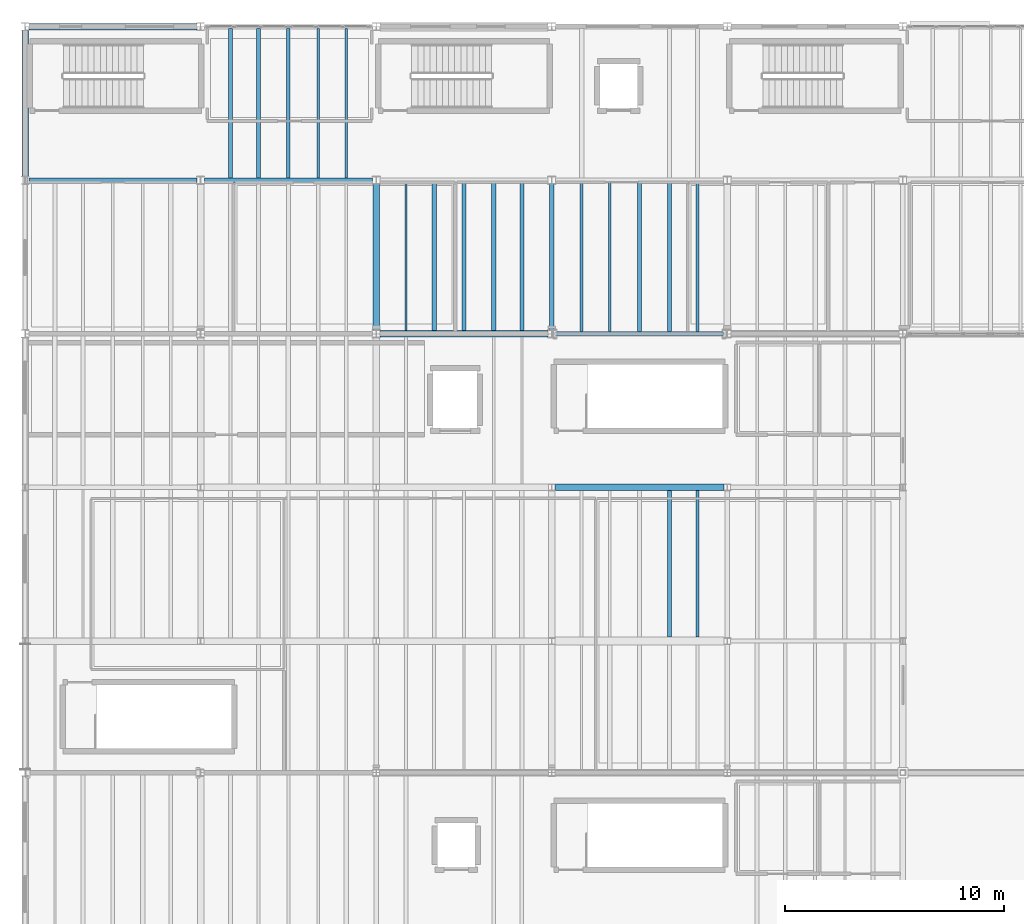
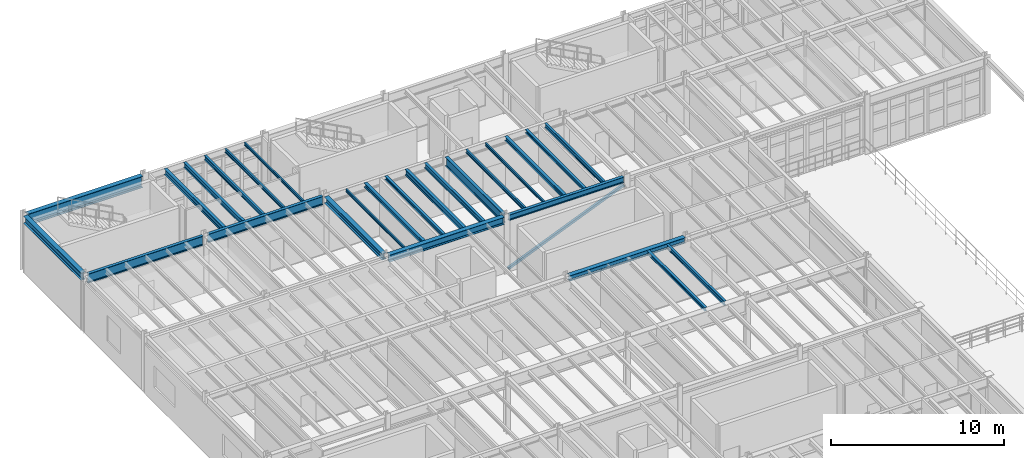
# One storey, part 19 of 78: 26 beams, 1 member.
"""IFC4 building model written with IfcOpenShell, lengths in metres."""

from ifc_helpers import new_model, si_unit, direction, frame, origin, origin_2d, place, context, subcontext, project, spatial, hollow_rectangle, i_section, extrude, material, material_profile, profile_set, type_object, element, save


model = new_model("IFC4")

# Units and contexts
model_context = context("Model", 3, precision=1e-05, world=origin(), true_north=direction((0.0, 1.0)))
body_context = subcontext(model_context, "Body", "Model", "MODEL_VIEW")
ifc_project = project(units=[si_unit("LENGTHUNIT", "METRE"), si_unit("AREAUNIT", "SQUARE_METRE"), si_unit("VOLUMEUNIT", "CUBIC_METRE"), si_unit("PLANEANGLEUNIT", "RADIAN"), si_unit("MASSUNIT", "GRAM", prefix="KILO"), si_unit("THERMODYNAMICTEMPERATUREUNIT", "KELVIN"), si_unit("POWERUNIT", "WATT")], contexts=[model_context])

# Site, building, storey
site_placement = place(None, origin())
site = spatial("IfcSite", under=ifc_project, at=site_placement, CompositionType="ELEMENT")
building_placement = place(site_placement, origin())
building = spatial("IfcBuilding", under=site, at=building_placement, Name="Zhenchuan Central Fire Station", CompositionType="ELEMENT")
storey_placement = place(building_placement, frame((0.0, 0.0, 5.85009765625)))
storey = spatial("IfcBuildingStorey", under=building, at=storey_placement, Name="L02", CompositionType="ELEMENT", Elevation=5.85009765625)

# Beams
ifc_material = material(Name="Steel Q355B", Category="steel")
ifc_material_profile_1 = material_profile(ifc_material, i_section(OverallWidth=0.300048828125, OverallDepth=0.389892578125, WebThickness=0.010009765625, FlangeThickness=0.01611328125, FilletRadius=0.02001953125, at=origin_2d()), Name="HM 390x300")
ifc_profile_set_1 = profile_set([ifc_material_profile_1], Name="Steel Q355B")
beam_type_1 = type_object("IfcBeamType", Name="BM-HM390-INT", PredefinedType="BEAM", material=ifc_profile_set_1)
beam_1_placement = place(storey_placement, frame((24.14990234375, 35.5, 3.804931640625), z_axis=(1.0, 0.0, 0.0), x_axis=(0.0, 1.0, 0.0)))
element("IfcBeam", 1, at=beam_1_placement, inside=storey, type_object=beam_type_1, Name="L03 Girder EW 0232", PredefinedType="BEAM", context=body_context, shape_type="SweptSolid", body=[
    extrude(i_section(OverallWidth=0.300048828125, OverallDepth=0.389892578125, WebThickness=0.010009765625, FlangeThickness=0.01611328125, FilletRadius=0.02001953125, at=origin_2d()), origin(), (0.0, 0.0, 1.0), 7.7001953125),
])
ifc_material_profile_2 = material_profile(ifc_material, i_section(OverallWidth=0.300048828125, OverallDepth=0.43994140625, WebThickness=0.010986328125, FlangeThickness=0.01806640625, FilletRadius=0.02197265625, at=origin_2d()), Name="HM 440x300")
ifc_profile_set_2 = profile_set([ifc_material_profile_2], Name="Steel Q355B")
beam_type_2 = type_object("IfcBeamType", Name="BM-HM440-INT", PredefinedType="BEAM", material=ifc_profile_set_2)
beam_2_placement = place(storey_placement, frame((16.0, 42.675048828125, 3.77978515625), z_axis=(0.0, 1.0, 0.0), x_axis=(-1.0, 0.0, 0.0)))
element("IfcBeam", 2, at=beam_2_placement, inside=storey, type_object=beam_type_2, Name="L03 Girder NS 0293", PredefinedType="BEAM", context=body_context, shape_type="SweptSolid", body=[
    extrude(i_section(OverallWidth=0.300048828125, OverallDepth=0.43994140625, WebThickness=0.010986328125, FlangeThickness=0.01806640625, FilletRadius=0.02197265625, at=origin_2d()), origin(), (0.0, 0.0, 1.0), 6.64990234375),
])
ifc_material_profile_3 = material_profile(ifc_material, i_section(OverallWidth=0.300048828125, OverallDepth=0.5, WebThickness=0.010986328125, FlangeThickness=0.01806640625, FilletRadius=0.02197265625, at=origin_2d()), Name="HM 500x300")
ifc_profile_set_3 = profile_set([ifc_material_profile_3], Name="Steel Q355B")
beam_type_3 = type_object("IfcBeamType", Name="BM-HM500", PredefinedType="BEAM", material=ifc_profile_set_3)
beam_3_placement = place(storey_placement, frame((0.0, 49.675048828125, 3.75), z_axis=(0.0, 1.0, 0.0), x_axis=(-1.0, 0.0, 0.0)))
element("IfcBeam", 3, at=beam_3_placement, inside=storey, type_object=beam_type_3, Name="L03 Girder NS 0281", PredefinedType="BEAM", context=body_context, shape_type="SweptSolid", body=[
    extrude(i_section(OverallWidth=0.300048828125, OverallDepth=0.5, WebThickness=0.010986328125, FlangeThickness=0.01806640625, FilletRadius=0.02197265625, at=origin_2d()), origin(), (0.0, 0.0, 1.0), 6.64990234375),
])
ifc_material_profile_4 = material_profile(ifc_material, i_section(OverallWidth=0.300048828125, OverallDepth=0.5, WebThickness=0.010986328125, FlangeThickness=0.01806640625, FilletRadius=0.02197265625, at=origin_2d()), Name="HM 500x300")
ifc_profile_set_4 = profile_set([ifc_material_profile_4], Name="Steel Q355B")
beam_type_4 = type_object("IfcBeamType", Name="BM-HM500-INT", PredefinedType="BEAM", material=ifc_profile_set_4)
beam_4_placement = place(storey_placement, frame((16.175048828125, 42.5, 3.75), z_axis=(1.0, 0.0, 0.0), x_axis=(0.0, 1.0, 0.0)))
element("IfcBeam", 4, at=beam_4_placement, inside=storey, type_object=beam_type_4, Name="L03 Girder EW 0244", PredefinedType="BEAM", context=body_context, shape_type="SweptSolid", body=[
    extrude(i_section(OverallWidth=0.300048828125, OverallDepth=0.5, WebThickness=0.010986328125, FlangeThickness=0.01806640625, FilletRadius=0.02197265625, at=origin_2d()), origin(), (0.0, 0.0, 1.0), 7.64990234375),
])
ifc_material_profile_5 = material_profile(ifc_material, i_section(OverallWidth=0.199951171875, OverallDepth=0.60009765625, WebThickness=0.010986328125, FlangeThickness=0.01708984375, FilletRadius=0.02197265625, at=origin_2d()), Name="HN 600x200")
ifc_profile_set_5 = profile_set([ifc_material_profile_5], Name="Steel Q355B")
beam_type_5 = type_object("IfcBeamType", Name="BM-HN600-INT", PredefinedType="BEAM", material=ifc_profile_set_5)
beam_5_placement = place(storey_placement, frame((8.175048828125, 49.5, 3.699951171875), z_axis=(1.0, 0.0, 0.0), x_axis=(0.0, 1.0, 0.0)))
element("IfcBeam", 5, at=beam_5_placement, inside=storey, type_object=beam_type_5, Name="L03 Girder EW 0254", PredefinedType="BEAM", context=body_context, shape_type="SweptSolid", body=[
    extrude(i_section(OverallWidth=0.199951171875, OverallDepth=0.60009765625, WebThickness=0.010986328125, FlangeThickness=0.01708984375, FilletRadius=0.02197265625, at=origin_2d()), origin(), (0.0, 0.0, 1.0), 7.64990234375),
])
ifc_material_profile_6 = material_profile(ifc_material, i_section(OverallWidth=0.199951171875, OverallDepth=0.64990234375, WebThickness=0.011962890625, FlangeThickness=0.02001953125, FilletRadius=0.02197265625, at=origin_2d()), Name="HN 650x200")
ifc_profile_set_6 = profile_set([ifc_material_profile_6], Name="Steel Q355B")
beam_type_6 = type_object("IfcBeamType", Name="BM-HN650", PredefinedType="BEAM", material=ifc_profile_set_6)
beam_6_placement = place(storey_placement, frame((0.175048828125, 49.5, 3.6748046875), z_axis=(1.0, 0.0, 0.0), x_axis=(0.0, 1.0, 0.0)))
element("IfcBeam", 6, at=beam_6_placement, inside=storey, type_object=beam_type_6, Name="L03 Girder EW 0253", PredefinedType="BEAM", context=body_context, shape_type="SweptSolid", body=[
    extrude(i_section(OverallWidth=0.199951171875, OverallDepth=0.64990234375, WebThickness=0.011962890625, FlangeThickness=0.02001953125, FilletRadius=0.02197265625, at=origin_2d()), origin(), (0.0, 0.0, 1.0), 7.64990234375),
])
beam_7_placement = place(storey_placement, frame((24.0, 42.675048828125, 3.6748046875), z_axis=(0.0, 1.0, 0.0), x_axis=(-1.0, 0.0, 0.0)))
element("IfcBeam", 7, at=beam_7_placement, inside=storey, type_object=beam_type_6, Name="L03 Girder NS 0298", PredefinedType="BEAM", context=body_context, shape_type="SweptSolid", body=[
    extrude(i_section(OverallWidth=0.199951171875, OverallDepth=0.64990234375, WebThickness=0.011962890625, FlangeThickness=0.02001953125, FilletRadius=0.02197265625, at=origin_2d()), origin(), (0.0, 0.0, 1.0), 6.64990234375),
])
ifc_material_profile_7 = material_profile(ifc_material, i_section(OverallWidth=0.300048828125, OverallDepth=0.800048828125, WebThickness=0.013916015625, FlangeThickness=0.02587890625, FilletRadius=0.02587890625, at=origin_2d()), Name="HN 800x300")
ifc_profile_set_7 = profile_set([ifc_material_profile_7], Name="Steel Q355B")
beam_type_7 = type_object("IfcBeamType", Name="BM-HN800-EXT", PredefinedType="BEAM", material=ifc_profile_set_7)
beam_8_placement = place(storey_placement, frame((0.175048828125, 56.5, 3.599853515625), z_axis=(1.0, 0.0, 0.0), x_axis=(0.0, 1.0, 0.0)))
element("IfcBeam", 8, at=beam_8_placement, inside=storey, type_object=beam_type_7, Name="L03 Girder EW 0264", PredefinedType="BEAM", context=body_context, shape_type="SweptSolid", body=[
    extrude(i_section(OverallWidth=0.300048828125, OverallDepth=0.800048828125, WebThickness=0.013916015625, FlangeThickness=0.02587890625, FilletRadius=0.02587890625, at=origin_2d()), origin(), (0.0, 0.0, 1.0), 7.64990234375),
])
ifc_material_profile_8 = material_profile(ifc_material, i_section(OverallWidth=0.175048828125, OverallDepth=0.243896484375, WebThickness=0.007080078125, FlangeThickness=0.010986328125, FilletRadius=0.012939453125, at=origin_2d()), Name="HM 244x175")
ifc_profile_set_8 = profile_set([ifc_material_profile_8], Name="Steel Q355B")
beam_type_8 = type_object("IfcBeamType", Name="JS-HM244", PredefinedType="JOIST", material=ifc_profile_set_8)
beam_9_placement = place(storey_placement, frame((29.360107421875, 28.68701171875, 3.8779296875), z_axis=(0.0, 1.0, 0.0), x_axis=(-1.0, 0.0, 0.0)))
element("IfcBeam", 9, at=beam_9_placement, inside=storey, type_object=beam_type_8, Name="L03 Secondary Joist 0435", PredefinedType="JOIST", context=body_context, shape_type="SweptSolid", body=[
    extrude(i_section(OverallWidth=0.175048828125, OverallDepth=0.243896484375, WebThickness=0.007080078125, FlangeThickness=0.010986328125, FilletRadius=0.012939453125, at=origin_2d()), origin(), (0.0, 0.0, 1.0), 6.666015625),
])
beam_10_placement = place(storey_placement, frame((20.0, 42.64697265625, 3.8779296875), z_axis=(0.0, 1.0, 0.0), x_axis=(-1.0, 0.0, 0.0)))
element("IfcBeam", 10, at=beam_10_placement, inside=storey, type_object=beam_type_8, Name="L03 Secondary Joist 0504", PredefinedType="JOIST", context=body_context, shape_type="SweptSolid", body=[
    extrude(i_section(OverallWidth=0.175048828125, OverallDepth=0.243896484375, WebThickness=0.007080078125, FlangeThickness=0.010986328125, FilletRadius=0.012939453125, at=origin_2d()), origin(), (0.0, 0.0, 1.0), 6.756103515625),
])
beam_11_placement = place(storey_placement, frame((29.360107421875, 42.596923828125, 3.8779296875), z_axis=(0.0, 1.0, 0.0), x_axis=(-1.0, 0.0, 0.0)))
element("IfcBeam", 11, at=beam_11_placement, inside=storey, type_object=beam_type_8, Name="L03 Secondary Joist 0510", PredefinedType="JOIST", context=body_context, shape_type="SweptSolid", body=[
    extrude(i_section(OverallWidth=0.175048828125, OverallDepth=0.243896484375, WebThickness=0.007080078125, FlangeThickness=0.010986328125, FilletRadius=0.012939453125, at=origin_2d()), origin(), (0.0, 0.0, 1.0), 6.80615234375),
])
ifc_material_profile_9 = material_profile(ifc_material, i_section(OverallWidth=0.199951171875, OverallDepth=0.2939453125, WebThickness=0.008056640625, FlangeThickness=0.011962890625, FilletRadius=0.01611328125, at=origin_2d()), Name="HM 294x200")
ifc_profile_set_9 = profile_set([ifc_material_profile_9], Name="Steel Q355B")
beam_type_9 = type_object("IfcBeamType", Name="JS-HM294", PredefinedType="JOIST", material=ifc_profile_set_9)
beam_12_placement = place(storey_placement, frame((18.639892578125, 42.64697265625, 3.852783203125), z_axis=(0.0, 1.0, 0.0), x_axis=(-1.0, 0.0, 0.0)))
element("IfcBeam", 12, at=beam_12_placement, inside=storey, type_object=beam_type_9, Name="L03 Secondary Joist 0503", PredefinedType="JOIST", context=body_context, shape_type="SweptSolid", body=[
    extrude(i_section(OverallWidth=0.199951171875, OverallDepth=0.2939453125, WebThickness=0.008056640625, FlangeThickness=0.011962890625, FilletRadius=0.01611328125, at=origin_2d()), origin(), (0.0, 0.0, 1.0), 6.756103515625),
])
beam_13_placement = place(storey_placement, frame((28.0, 42.596923828125, 3.852783203125), z_axis=(0.0, 1.0, 0.0), x_axis=(-1.0, 0.0, 0.0)))
element("IfcBeam", 13, at=beam_13_placement, inside=storey, type_object=beam_type_9, Name="L03 Secondary Joist 0509", PredefinedType="JOIST", context=body_context, shape_type="SweptSolid", body=[
    extrude(i_section(OverallWidth=0.199951171875, OverallDepth=0.2939453125, WebThickness=0.008056640625, FlangeThickness=0.011962890625, FilletRadius=0.01611328125, at=origin_2d()), origin(), (0.0, 0.0, 1.0), 6.80615234375),
])
ifc_material_profile_10 = material_profile(ifc_material, i_section(OverallWidth=0.10009765625, OverallDepth=0.199951171875, WebThickness=0.005615234375, FlangeThickness=0.008056640625, FilletRadius=0.010986328125, at=origin_2d()), Name="HN 200x100")
ifc_profile_set_10 = profile_set([ifc_material_profile_10], Name="Steel Q355B")
beam_type_10 = type_object("IfcBeamType", Name="JS-HN200", PredefinedType="JOIST", material=ifc_profile_set_10)
beam_14_placement = place(storey_placement, frame((17.360107421875, 42.64697265625, 3.89990234375), z_axis=(0.0, 1.0, 0.0), x_axis=(-1.0, 0.0, 0.0)))
element("IfcBeam", 14, at=beam_14_placement, inside=storey, type_object=beam_type_10, Name="L03 Secondary Joist 0502", PredefinedType="JOIST", context=body_context, shape_type="SweptSolid", body=[
    extrude(i_section(OverallWidth=0.10009765625, OverallDepth=0.199951171875, WebThickness=0.005615234375, FlangeThickness=0.008056640625, FilletRadius=0.010986328125, at=origin_2d()), origin(), (0.0, 0.0, 1.0), 6.756103515625),
])
for number, where, z_axis, x_axis, name in (
    (15, (26.639892578125, 42.596923828125, 3.89990234375), (0.0, 1.0, 0.0), (-1.0, 0.0, 0.0), "L03 Secondary Joist 0508"),
    (16, (14.639892578125, 49.596923828125, 3.89990234375), (0.0, 1.0, 0.0), (-1.0, 0.0, 0.0), "L03 Secondary Joist 0551"),
):
    element("IfcBeam", number, at=place(storey_placement, frame(where, z_axis=z_axis, x_axis=x_axis)), inside=storey, type_object=beam_type_10, Name=name, PredefinedType="JOIST", context=body_context, shape_type="SweptSolid", body=[
        extrude(i_section(OverallWidth=0.10009765625, OverallDepth=0.199951171875, WebThickness=0.005615234375, FlangeThickness=0.008056640625, FilletRadius=0.010986328125, at=origin_2d()), origin(), (0.0, 0.0, 1.0), 6.80615234375),
    ])
ifc_material_profile_11 = material_profile(ifc_material, i_section(OverallWidth=0.125, OverallDepth=0.25, WebThickness=0.006103515625, FlangeThickness=0.009033203125, FilletRadius=0.011962890625, at=origin_2d()), Name="HN 250x125")
ifc_profile_set_11 = profile_set([ifc_material_profile_11], Name="Steel Q355B")
beam_type_11 = type_object("IfcBeamType", Name="JS-HN250", PredefinedType="JOIST", material=ifc_profile_set_11)
for number, where, z_axis, x_axis, name in (
    (17, (25.360107421875, 42.596923828125, 3.875), (0.0, 1.0, 0.0), (-1.0, 0.0, 0.0), "L03 Secondary Joist 0507"),
    (18, (13.360107421875, 49.596923828125, 3.875), (0.0, 1.0, 0.0), (-1.0, 0.0, 0.0), "L03 Secondary Joist 0550"),
):
    element("IfcBeam", number, at=place(storey_placement, frame(where, z_axis=z_axis, x_axis=x_axis)), inside=storey, type_object=beam_type_11, Name=name, PredefinedType="JOIST", context=body_context, shape_type="SweptSolid", body=[
        extrude(i_section(OverallWidth=0.125, OverallDepth=0.25, WebThickness=0.006103515625, FlangeThickness=0.009033203125, FilletRadius=0.011962890625, at=origin_2d()), origin(), (0.0, 0.0, 1.0), 6.80615234375),
    ])
ifc_material_profile_12 = material_profile(ifc_material, i_section(OverallWidth=0.14990234375, OverallDepth=0.300048828125, WebThickness=0.006591796875, FlangeThickness=0.009033203125, FilletRadius=0.012939453125, at=origin_2d()), Name="HN 300x150")
ifc_profile_set_12 = profile_set([ifc_material_profile_12], Name="Steel Q355B")
beam_type_12 = type_object("IfcBeamType", Name="JS-HN300", PredefinedType="JOIST", material=ifc_profile_set_12)
beam_15_placement = place(storey_placement, frame((30.639892578125, 28.68701171875, 3.849853515625), z_axis=(0.0, 1.0, 0.0), x_axis=(-1.0, 0.0, 0.0)))
element("IfcBeam", 19, at=beam_15_placement, inside=storey, type_object=beam_type_12, Name="L03 Secondary Joist 0436", PredefinedType="JOIST", context=body_context, shape_type="SweptSolid", body=[
    extrude(i_section(OverallWidth=0.14990234375, OverallDepth=0.300048828125, WebThickness=0.006591796875, FlangeThickness=0.009033203125, FilletRadius=0.012939453125, at=origin_2d()), origin(), (0.0, 0.0, 1.0), 6.666015625),
])
for number, where, z_axis, x_axis, name in (
    (20, (30.639892578125, 42.596923828125, 3.849853515625), (0.0, 1.0, 0.0), (-1.0, 0.0, 0.0), "L03 Secondary Joist 0511"),
    (21, (12.0, 49.596923828125, 3.849853515625), (0.0, 1.0, 0.0), (-1.0, 0.0, 0.0), "L03 Secondary Joist 0549"),
):
    element("IfcBeam", number, at=place(storey_placement, frame(where, z_axis=z_axis, x_axis=x_axis)), inside=storey, type_object=beam_type_12, Name=name, PredefinedType="JOIST", context=body_context, shape_type="SweptSolid", body=[
        extrude(i_section(OverallWidth=0.14990234375, OverallDepth=0.300048828125, WebThickness=0.006591796875, FlangeThickness=0.009033203125, FilletRadius=0.012939453125, at=origin_2d()), origin(), (0.0, 0.0, 1.0), 6.80615234375),
    ])
ifc_material_profile_13 = material_profile(ifc_material, i_section(OverallWidth=0.175048828125, OverallDepth=0.35009765625, WebThickness=0.007080078125, FlangeThickness=0.010986328125, FilletRadius=0.013916015625, at=origin_2d()), Name="HN 350x175")
ifc_profile_set_13 = profile_set([ifc_material_profile_13], Name="Steel Q355B")
beam_type_13 = type_object("IfcBeamType", Name="JS-HN350", PredefinedType="JOIST", material=ifc_profile_set_13)
beam_16_placement = place(storey_placement, frame((22.639892578125, 42.64697265625, 3.824951171875), z_axis=(0.0, 1.0, 0.0), x_axis=(-1.0, 0.0, 0.0)))
element("IfcBeam", 22, at=beam_16_placement, inside=storey, type_object=beam_type_13, Name="L03 Secondary Joist 0506", PredefinedType="JOIST", context=body_context, shape_type="SweptSolid", body=[
    extrude(i_section(OverallWidth=0.175048828125, OverallDepth=0.35009765625, WebThickness=0.007080078125, FlangeThickness=0.010986328125, FilletRadius=0.013916015625, at=origin_2d()), origin(), (0.0, 0.0, 1.0), 6.756103515625),
])
beam_17_placement = place(storey_placement, frame((10.639892578125, 49.596923828125, 3.824951171875), z_axis=(0.0, 1.0, 0.0), x_axis=(-1.0, 0.0, 0.0)))
element("IfcBeam", 23, at=beam_17_placement, inside=storey, type_object=beam_type_13, Name="L03 Secondary Joist 0548", PredefinedType="JOIST", context=body_context, shape_type="SweptSolid", body=[
    extrude(i_section(OverallWidth=0.175048828125, OverallDepth=0.35009765625, WebThickness=0.007080078125, FlangeThickness=0.010986328125, FilletRadius=0.013916015625, at=origin_2d()), origin(), (0.0, 0.0, 1.0), 6.80615234375),
])
ifc_material_profile_14 = material_profile(ifc_material, i_section(OverallWidth=0.199951171875, OverallDepth=0.39990234375, WebThickness=0.008056640625, FlangeThickness=0.012939453125, FilletRadius=0.01611328125, at=origin_2d()), Name="HN 400x200")
ifc_profile_set_14 = profile_set([ifc_material_profile_14], Name="Steel Q355B")
beam_type_14 = type_object("IfcBeamType", Name="JS-HN400", PredefinedType="JOIST", material=ifc_profile_set_14)
beam_18_placement = place(storey_placement, frame((21.360107421875, 42.64697265625, 3.7998046875), z_axis=(0.0, 1.0, 0.0), x_axis=(-1.0, 0.0, 0.0)))
element("IfcBeam", 24, at=beam_18_placement, inside=storey, type_object=beam_type_14, Name="L03 Secondary Joist 0505", PredefinedType="JOIST", context=body_context, shape_type="SweptSolid", body=[
    extrude(i_section(OverallWidth=0.199951171875, OverallDepth=0.39990234375, WebThickness=0.008056640625, FlangeThickness=0.012939453125, FilletRadius=0.01611328125, at=origin_2d()), origin(), (0.0, 0.0, 1.0), 6.756103515625),
])
beam_19_placement = place(storey_placement, frame((9.360107421875, 49.596923828125, 3.7998046875), z_axis=(0.0, 1.0, 0.0), x_axis=(-1.0, 0.0, 0.0)))
element("IfcBeam", 25, at=beam_19_placement, inside=storey, type_object=beam_type_14, Name="L03 Secondary Joist 0547", PredefinedType="JOIST", context=body_context, shape_type="SweptSolid", body=[
    extrude(i_section(OverallWidth=0.199951171875, OverallDepth=0.39990234375, WebThickness=0.008056640625, FlangeThickness=0.012939453125, FilletRadius=0.01611328125, at=origin_2d()), origin(), (0.0, 0.0, 1.0), 6.80615234375),
])

# Member
ifc_material_profile_15 = material_profile(ifc_material, hollow_rectangle(XDim=0.159912109375, YDim=0.159912109375, WallThickness=0.008056640625, at=origin_2d()), Name="SHS 160x160x8")
ifc_profile_set_15 = profile_set([ifc_material_profile_15], Name="Steel Q355B")
member_type = type_object("IfcMemberType", Name="MB-BR-SHS160", PredefinedType="BRACE", material=ifc_profile_set_15)
member_placement = place(storey_placement, frame((24.153076171875, 42.5, 0.199951171875), z_axis=(0.923324644849, 0.0, 0.384020312243), x_axis=(0.0, 1.0, 0.0)))
element("IfcMember", 26, at=member_placement, inside=storey, type_object=member_type, Name="Interior Frame Lateral Brace 05", PredefinedType="BRACE", context=body_context, shape_type="SweptSolid", body=[
    extrude(hollow_rectangle(XDim=0.159912109375, YDim=0.159912109375, WallThickness=0.008056640625, at=origin_2d()), origin(), (0.0, 0.0, 1.0), 8.332763671875),
])

# Beam
ifc_material_profile_16 = material_profile(ifc_material, i_section(OverallWidth=0.199951171875, OverallDepth=0.39990234375, WebThickness=0.008056640625, FlangeThickness=0.012939453125, FilletRadius=0.01611328125, at=origin_2d()), Name="HN 400x200")
ifc_profile_set_16 = profile_set([ifc_material_profile_16], Name="Steel Q355B")
beam_type_15 = type_object("IfcBeamType", Name="SP-HN400-INT", PredefinedType="SPANDREL", material=ifc_profile_set_16)
beam_20_placement = place(storey_placement, frame((24.175048828125, 42.5, 3.7998046875), z_axis=(1.0, 0.0, 0.0), x_axis=(0.0, 1.0, 0.0)))
element("IfcBeam", 27, at=beam_20_placement, inside=storey, type_object=beam_type_15, Name="L03 Girder EW 0245", PredefinedType="SPANDREL", context=body_context, shape_type="SweptSolid", body=[
    extrude(i_section(OverallWidth=0.199951171875, OverallDepth=0.39990234375, WebThickness=0.008056640625, FlangeThickness=0.012939453125, FilletRadius=0.01611328125, at=origin_2d()), origin(), (0.0, 0.0, 1.0), 7.64990234375),
])

save(model, "model.ifc")
